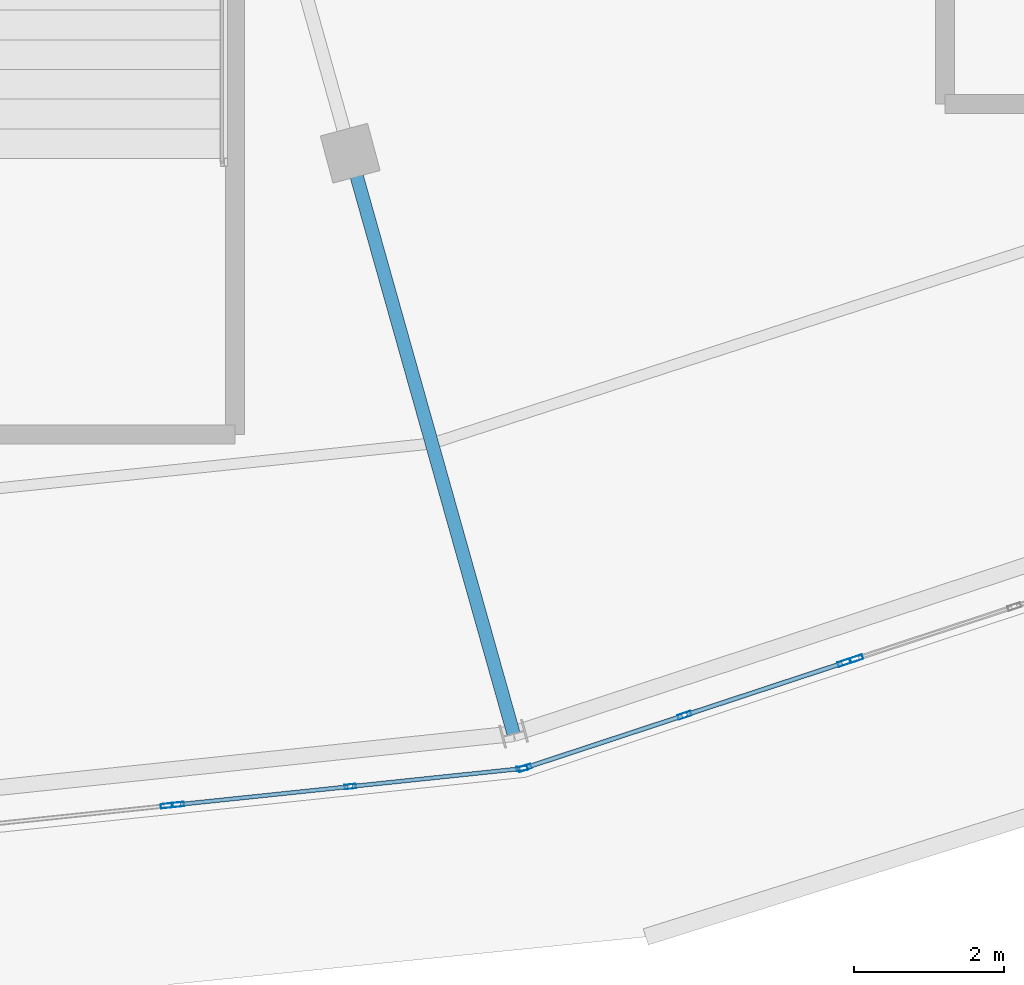
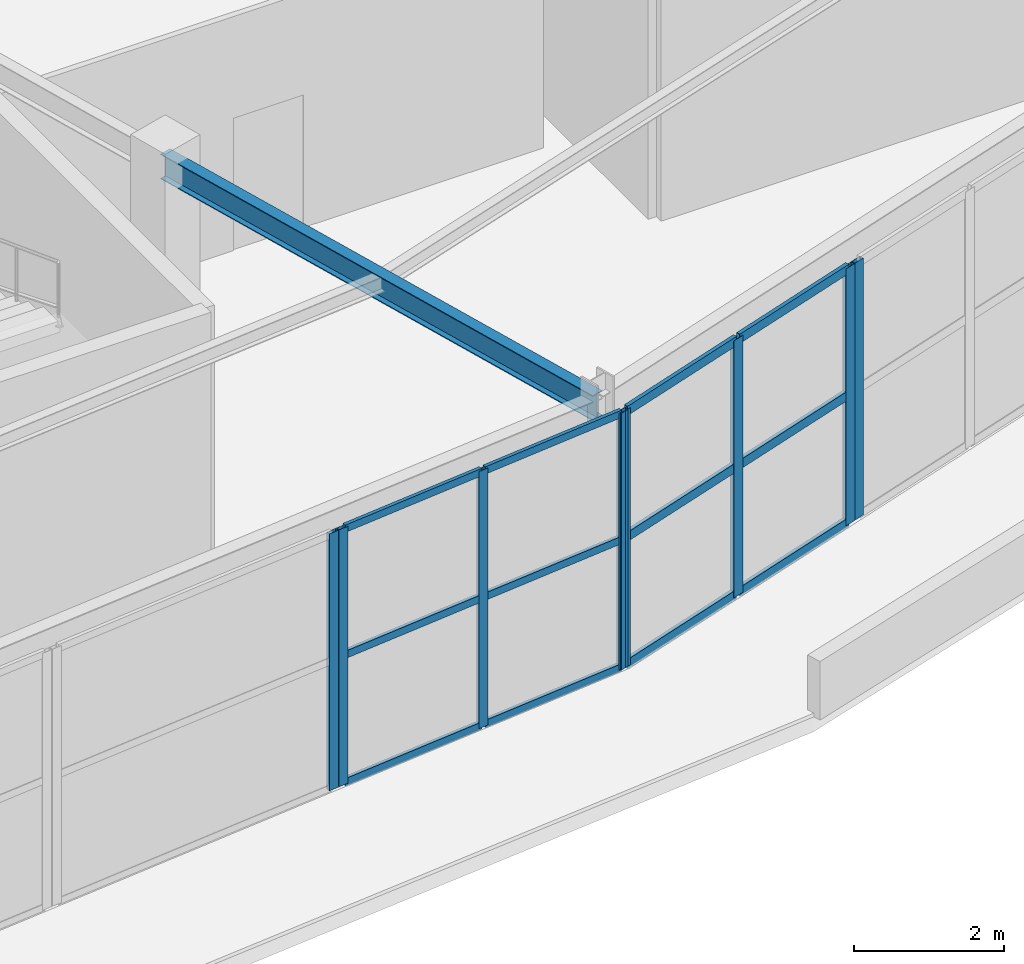
# One storey, part 41 of 126: 20 members, 1 beam, 4 elements without a shape of their own.
"""IFC4 building model written with IfcOpenShell, lengths in metres."""

import ifcopenshell
import ifcopenshell.guid

model = None  # the IFC model being written
_history = None  # IfcOwnerHistory: only IFC2X3 demands one
_inside = {}  # id of a spatial element -> (the spatial element, [elements in it])
_under = {}  # id of a project, library or spatial element -> (it, [spatial elements below it])
_declared = {}  # id of a project -> (the project, [libraries it declares])
_typed = {}  # id of a type object -> (the type object, [elements of that type])
_made_of = {}  # id of a material, layer set ... -> (it, [elements and type objects made of it])


def new_model(schema):
    """Start an empty IFC model of exactly this schema.

    Asked for "IFC4X3", IfcOpenShell would pick the latest addendum, in which some entities
    have other attributes; the version numbers below select the first issue.
    IFC2X3 requires an IfcOwnerHistory on every rooted entity: one is made here for all.
    """
    global model, _history
    if schema == "IFC4X3":
        model = ifcopenshell.file(schema_version=(4, 3, 0, 0))
    else:
        model = ifcopenshell.file(schema=schema)
    _inside.clear()
    _under.clear()
    _declared.clear()
    _typed.clear()
    _made_of.clear()
    _history = None
    if model.schema == "IFC2X3":
        org = make("IfcOrganization", Name="unknown")
        user = make(
            "IfcPersonAndOrganization",
            ThePerson=make("IfcPerson", FamilyName="unknown"),
            TheOrganization=org,
        )
        app = make(
            "IfcApplication",
            ApplicationDeveloper=org,
            Version="unknown",
            ApplicationFullName="unknown",
            ApplicationIdentifier="unknown",
        )
        _history = make(
            "IfcOwnerHistory",
            OwningUser=user,
            OwningApplication=app,
            ChangeAction="ADDED",
            CreationDate=0,
        )
    return model


def make(cls, **values):
    """One entity of the class cls with the attributes given. An attribute that is None is left unset."""
    return model.create_entity(
        cls, **{name: value for name, value in values.items() if value is not None}
    )


def rooted(cls, **values):
    """An entity with a GlobalId (a new one), such as an element, a storey or a relation."""
    return make(cls, GlobalId=ifcopenshell.guid.new(), OwnerHistory=_history, **values)


def si_unit(unit_type, name, prefix=None):
    """IfcSIUnit, for example si_unit("LENGTHUNIT", "METRE", prefix="MILLI")."""
    return make("IfcSIUnit", UnitType=unit_type, Prefix=prefix, Name=name)


def assignment(units):
    """IfcUnitAssignment: the units of a project."""
    return None if units is None else make("IfcUnitAssignment", Units=units)


def point(xyz):
    """IfcCartesianPoint."""
    return None if xyz is None else make("IfcCartesianPoint", Coordinates=xyz)


def direction(xyz):
    """IfcDirection."""
    return None if xyz is None else make("IfcDirection", DirectionRatios=xyz)


def frame(location, z_axis=None, x_axis=None):
    """IfcAxis2Placement3D, a coordinate frame: its origin and axes. An axis left out is left unset."""
    return make(
        "IfcAxis2Placement3D",
        Location=point(location),
        Axis=direction(z_axis),
        RefDirection=direction(x_axis),
    )


def frame_2d(location, x_axis=None):
    """IfcAxis2Placement2D, a coordinate frame in the plane: its origin and x axis."""
    return make(
        "IfcAxis2Placement2D", Location=point(location), RefDirection=direction(x_axis)
    )


def origin():
    """The frame at (0, 0, 0) with its axes left unset."""
    return frame((0.0, 0.0, 0.0))


def origin_2d():
    """The frame at (0, 0) in the plane with its x axis left unset."""
    return frame_2d((0.0, 0.0))


def place(relative_to, where):
    """IfcLocalPlacement: puts the frame where relative to a parent placement (None: the world)."""
    return make(
        "IfcLocalPlacement", PlacementRelTo=relative_to, RelativePlacement=where
    )


def context(
    kind, dimensions, precision=None, world=None, true_north=None, identifier=None
):
    """IfcGeometricRepresentationContext, for example the 3D "Model" context."""
    return make(
        "IfcGeometricRepresentationContext",
        ContextIdentifier=identifier,
        ContextType=kind,
        CoordinateSpaceDimension=dimensions,
        Precision=precision,
        WorldCoordinateSystem=world,
        TrueNorth=true_north,
    )


def subcontext(parent, identifier, kind, view, scale=None):
    """IfcGeometricRepresentationSubContext, for example "Body" below "Model"."""
    return make(
        "IfcGeometricRepresentationSubContext",
        ContextIdentifier=identifier,
        ContextType=kind,
        ParentContext=parent,
        TargetScale=scale,
        TargetView=view,
    )


def project(units=None, contexts=None):
    """IfcProject with its units and contexts."""
    return rooted(
        "IfcProject",
        Name="project",
        RepresentationContexts=contexts,
        UnitsInContext=assignment(units),
    )


def spatial(cls, under=None, at=None, **own):
    """A site, building, storey or space (cls), placed at a placement, below another one or the project."""
    s = rooted(cls, ObjectPlacement=at, **own)
    if under is not None:
        _under.setdefault(under.id(), (under, []))[1].append(s)
    return s


def profile(cls, at=None, kind="AREA", **sizes):
    """A parametric profile (cls). Its sizes go by their IFC names, for example OverallWidth=200.0."""
    return make(cls, ProfileType=kind, Position=at, **sizes)


def hollow_rectangle(**sizes):
    """IfcRectangleHollowProfileDef."""
    return profile("IfcRectangleHollowProfileDef", **sizes)


def i_section(**sizes):
    """IfcIShapeProfileDef."""
    return profile("IfcIShapeProfileDef", **sizes)


def extrude(swept, where, along, depth):
    """IfcExtrudedAreaSolid: the profile swept, set in the frame where, extruded along a direction by depth."""
    return make(
        "IfcExtrudedAreaSolid",
        SweptArea=swept,
        Position=where,
        ExtrudedDirection=direction(along),
        Depth=depth,
    )


def shape(context_of_items, identifier, shape_type, items):
    """IfcShapeRepresentation: the items that make up one representation, for example the "Body"."""
    return make(
        "IfcShapeRepresentation",
        ContextOfItems=context_of_items,
        RepresentationIdentifier=identifier,
        RepresentationType=shape_type,
        Items=items,
    )


def material(Name=None, Category=None):
    """IfcMaterial."""
    return make("IfcMaterial", Name=Name, Category=Category)


def layer(
    of_material, thickness, ventilated=None, Name=None, Category=None, Priority=None
):
    """IfcMaterialLayer: one layer of a wall or slab, of a material (None: an air gap)."""
    return make(
        "IfcMaterialLayer",
        Material=of_material,
        LayerThickness=thickness,
        IsVentilated=ventilated,
        Name=Name,
        Category=Category,
        Priority=Priority,
    )


def layer_set(layers, Name=None):
    """IfcMaterialLayerSet."""
    return make("IfcMaterialLayerSet", MaterialLayers=layers, LayerSetName=Name)


def material_profile(
    of_material, cross_section, Name=None, Category=None, Priority=None
):
    """IfcMaterialProfile: a cross section and its material."""
    return make(
        "IfcMaterialProfile",
        Name=Name,
        Material=of_material,
        Profile=cross_section,
        Priority=Priority,
        Category=Category,
    )


def profile_set(profiles, Name=None, composite=None):
    """IfcMaterialProfileSet."""
    return make(
        "IfcMaterialProfileSet",
        Name=Name,
        MaterialProfiles=profiles,
        CompositeProfile=composite,
    )


def made_of(thing, what):
    """Note that an element or type object is made of a material, layer set ...; save() writes the relation."""
    if what is not None:
        _made_of.setdefault(what.id(), (what, []))[1].append(thing)
    return thing


def type_object(cls, material=None, **own):
    """A type object (cls), such as IfcWallType, which elements share."""
    return made_of(rooted(cls, **own), material)


def element(
    cls,
    number,
    at=None,
    inside=None,
    cuts=None,
    type_object=None,
    material=None,
    context=None,
    identifier="Body",
    shape_type=None,
    held_by="IfcProductDefinitionShape",
    body=None,
    shapes=None,
    **own,
):
    """One element of the class cls, such as IfcWall. Its Tag is "e" and its number.

    at: its placement. inside: the storey or other place that contains it. cuts: it is an
    opening in that element (IfcRelVoidsElement). A single representation is given by context,
    identifier, shape_type and body (its items); several are given by shapes. held_by: the class
    of the entity that holds the representations. save() writes the other relations.
    """
    e = rooted(cls, Tag="e%d" % number, ObjectPlacement=at, **own)
    if body is not None:
        shapes = [shape(context, identifier, shape_type, body)]
    if shapes is not None:
        e.Representation = make(held_by, Representations=shapes)
    if inside is not None:
        _inside.setdefault(inside.id(), (inside, []))[1].append(e)
    if cuts is not None:
        rooted(
            "IfcRelVoidsElement", RelatingBuildingElement=cuts, RelatedOpeningElement=e
        )
    if type_object is not None:
        _typed.setdefault(type_object.id(), (type_object, []))[1].append(e)
    return made_of(e, material)


def aggregate(whole, parts):
    """IfcRelAggregates: a whole, such as a stair, and the parts it consists of."""
    return rooted("IfcRelAggregates", RelatingObject=whole, RelatedObjects=parts)


def save(model, path):
    """Write the relations noted so far, then the file.

    IfcRelAggregates (storeys below a building ...), IfcRelContainedInSpatialStructure (elements
    in a storey), IfcRelDefinesByType, IfcRelAssociatesMaterial and IfcRelDeclares: one each for
    every whole, place, type object, material and project.
    """
    for whole, parts in _under.values():
        aggregate(whole, parts)
    for where, things in _inside.values():
        rooted(
            "IfcRelContainedInSpatialStructure",
            RelatedElements=things,
            RelatingStructure=where,
        )
    for kind, things in _typed.values():
        rooted("IfcRelDefinesByType", RelatedObjects=things, RelatingType=kind)
    for what, things in _made_of.values():
        rooted("IfcRelAssociatesMaterial", RelatedObjects=things, RelatingMaterial=what)
    for by, libraries in _declared.values():
        rooted("IfcRelDeclares", RelatingContext=by, RelatedDefinitions=libraries)
    model.write(path)


model = new_model("IFC4")

# Units and contexts
model_context = context("Model", 3, precision=1e-05, world=origin(), true_north=direction((0.0, 1.0)))
body_context = subcontext(model_context, "Body", "Model", "MODEL_VIEW")
ifc_project = project(units=[si_unit("LENGTHUNIT", "METRE"), si_unit("AREAUNIT", "SQUARE_METRE"), si_unit("VOLUMEUNIT", "CUBIC_METRE"), si_unit("PLANEANGLEUNIT", "RADIAN"), si_unit("MASSUNIT", "GRAM", prefix="KILO")], contexts=[model_context])

# Site, building, storey
site_placement = place(None, origin())
site = spatial("IfcSite", under=ifc_project, at=site_placement, CompositionType="ELEMENT")
building_placement = place(site_placement, origin())
building = spatial("IfcBuilding", under=site, at=building_placement, Name="Kalgoora Escarpment Arena", CompositionType="ELEMENT")
storey_placement = place(building_placement, frame((0.0, 0.0, 18.89990234375)))
storey = spatial("IfcBuildingStorey", under=building, at=storey_placement, Name="L04", CompositionType="ELEMENT", Elevation=18.89990234375)

# Beam
ifc_material_1 = material(Name="Structural steel AS/NZS 3679 (300 MPa)", Category="steel")
ifc_material_profile_1 = material_profile(ifc_material_1, i_section(OverallWidth=0.177978515625, OverallDepth=0.406005859375, WebThickness=0.0078125, FlangeThickness=0.0126953125, at=origin_2d()))
ifc_profile_set_1 = profile_set([ifc_material_profile_1], Name="Structural steel AS/NZS 3679 (300 MPa)")
beam_type = type_object("IfcBeamType", Name="BM-GIRDER-410UB59.7", PredefinedType="USERDEFINED", material=ifc_profile_set_1)
beam_placement = place(storey_placement, frame((108.80908203125, 16.669677734375, 4.027099609375), z_axis=(0.27082660355, -0.962628147734, 0.0), x_axis=(0.962628147734, 0.27082660355, 0.0)))
element("IfcBeam", 1, at=beam_placement, inside=storey, type_object=beam_type, Name="L04 Radial concourse girder 410UB59.7", ObjectType="GIRDER", PredefinedType="USERDEFINED", context=body_context, shape_type="SweptSolid", body=[
    extrude(i_section(OverallWidth=0.177978515625, OverallDepth=0.406005859375, WebThickness=0.0078125, FlangeThickness=0.0126953125, at=origin_2d()), origin(), (0.0, 0.0, 1.0), 8.027587890625),
])

# Curtain wall, members
ifc_material_2 = material(Name=" Champagne anodised aluminium & double-glazed low-E", Category="aluminium")
ifc_layer_1 = layer(ifc_material_2, 0.154052734375)
ifc_layer_set_1 = layer_set([ifc_layer_1], Name="CW-UNIT-11")
curtain_wall_type_1 = type_object("IfcCurtainWallType", Name="CW-UNIT-11", PredefinedType="NOTDEFINED", material=ifc_layer_set_1)
curtain_wall_1_placement = place(storey_placement, origin())
curtain_wall_1 = element("IfcCurtainWall", 2, at=curtain_wall_1_placement, inside=storey, type_object=curtain_wall_type_1, Name="L04 unitised facade curtain wall 110", PredefinedType="NOTDEFINED")
ifc_material_3 = material(Name="Anodised aluminium 6063-T6", Category="aluminium")
ifc_material_profile_2 = material_profile(ifc_material_3, hollow_rectangle(XDim=0.06005859375, YDim=0.14990234375, WallThickness=0.00341796875, at=origin_2d()))
ifc_profile_set_2 = profile_set([ifc_material_profile_2], Name="Anodised aluminium 6063-T6")
member_type_1 = type_object("IfcMemberType", Name="MEM-CW-MULL-150", PredefinedType="MULLION", material=ifc_profile_set_2)
member_1_placement = place(storey_placement, frame((111.09619140625, 8.478759765625, 0.02001953125), z_axis=(0.0, 0.0, 1.0), x_axis=(0.10415754759, -0.994560810247, 0.0)))
member_1 = element("IfcMember", 3, at=member_1_placement, type_object=member_type_1, Name="CW-11 mullion 1", PredefinedType="MULLION", context=body_context, shape_type="SweptSolid", body=[
    extrude(hollow_rectangle(XDim=0.06005859375, YDim=0.14990234375, WallThickness=0.00341796875, at=origin_2d()), origin(), (0.0, 0.0, 1.0), 4.170166015625),
])
member_2_placement = place(storey_placement, frame((108.80859375, 8.2392578125, 0.02001953125), z_axis=(0.0, 0.0, 1.0), x_axis=(0.10415754759, -0.994560810247, 0.0)))
member_2 = element("IfcMember", 4, at=member_2_placement, type_object=member_type_1, Name="CW-11 mullion 2", PredefinedType="MULLION", context=body_context, shape_type="SweptSolid", body=[
    extrude(hollow_rectangle(XDim=0.06005859375, YDim=0.14990234375, WallThickness=0.00341796875, at=origin_2d()), origin(), (0.0, 0.0, 1.0), 4.170166015625),
])
member_3_placement = place(storey_placement, frame((106.52099609375, 7.999755859375, 0.02001953125), z_axis=(0.0, 0.0, 1.0), x_axis=(0.10415754759, -0.994560810247, 0.0)))
member_3 = element("IfcMember", 5, at=member_3_placement, type_object=member_type_1, Name="CW-11 mullion 3", PredefinedType="MULLION", context=body_context, shape_type="SweptSolid", body=[
    extrude(hollow_rectangle(XDim=0.06005859375, YDim=0.14990234375, WallThickness=0.00341796875, at=origin_2d()), origin(), (0.0, 0.0, 1.0), 4.170166015625),
])

# Curtain wall, member
ifc_material_4 = material(Name=" Champagne anodised aluminium & double-glazed low-E", Category="aluminium")
ifc_layer_2 = layer(ifc_material_4, 0.157958984375)
ifc_layer_set_2 = layer_set([ifc_layer_2], Name="CW-UNIT-12")
curtain_wall_type_2 = type_object("IfcCurtainWallType", Name="CW-UNIT-12", PredefinedType="NOTDEFINED", material=ifc_layer_set_2)
curtain_wall_2_placement = place(storey_placement, origin())
curtain_wall_2 = element("IfcCurtainWall", 6, at=curtain_wall_2_placement, inside=storey, type_object=curtain_wall_type_2, Name="L04 unitised facade curtain wall 111", PredefinedType="NOTDEFINED")
member_4_placement = place(storey_placement, frame((106.36181640625, 7.983154296875, 0.02001953125), z_axis=(0.0, 0.0, 1.0), x_axis=(0.104182310405, -0.994558216596, 0.0)))
member_4 = element("IfcMember", 7, at=member_4_placement, type_object=member_type_1, Name="CW-12 mullion 1", PredefinedType="MULLION", context=body_context, shape_type="SweptSolid", body=[
    extrude(hollow_rectangle(XDim=0.06005859375, YDim=0.14990234375, WallThickness=0.00341796875, at=origin_2d()), origin(), (0.0, 0.0, 1.0), 4.170166015625),
])
aggregate(curtain_wall_2, [member_4])

ifc_material_5 = material(Name=" Champagne anodised aluminium & double-glazed low-E", Category="aluminium")
ifc_layer_3 = layer(ifc_material_5, 0.166015625)
ifc_layer_set_3 = layer_set([ifc_layer_3], Name="CW-UNIT-09")
curtain_wall_type_3 = type_object("IfcCurtainWallType", Name="CW-UNIT-09", PredefinedType="NOTDEFINED", material=ifc_layer_set_3)
curtain_wall_3_placement = place(storey_placement, origin())
curtain_wall_3 = element("IfcCurtainWall", 8, at=curtain_wall_3_placement, inside=storey, type_object=curtain_wall_type_3, Name="L04 unitised facade curtain wall 108", PredefinedType="NOTDEFINED")
ifc_material_6 = material(Name="Anodised aluminium 6063-T6", Category="aluminium")
ifc_material_profile_3 = material_profile(ifc_material_6, hollow_rectangle(XDim=0.06494140625, YDim=0.179931640625, WallThickness=0.00390625, at=origin_2d()))
ifc_profile_set_3 = profile_set([ifc_material_profile_3], Name="Anodised aluminium 6063-T6")
member_type_2 = type_object("IfcMemberType", Name="MEM-CW-MULL-180", PredefinedType="MULLION", material=ifc_profile_set_3)
member_5_placement = place(storey_placement, frame((115.544677734375, 9.941162109375, 0.02001953125), z_axis=(0.0, 0.0, 1.0), x_axis=(0.312969878028, -0.949763052265, 0.0)))
member_5 = element("IfcMember", 9, at=member_5_placement, type_object=member_type_2, Name="CW-09 mullion 3", PredefinedType="MULLION", context=body_context, shape_type="SweptSolid", body=[
    extrude(hollow_rectangle(XDim=0.06494140625, YDim=0.179931640625, WallThickness=0.00390625, at=origin_2d()), origin(), (0.0, 0.0, 1.0), 4.170166015625),
])
aggregate(curtain_wall_3, [member_5])

# Curtain wall, members
ifc_material_7 = material(Name=" Champagne anodised aluminium & double-glazed low-E", Category="aluminium")
ifc_layer_4 = layer(ifc_material_7, 0.14990234375)
ifc_layer_set_4 = layer_set([ifc_layer_4], Name="CW-UNIT-10")
curtain_wall_type_4 = type_object("IfcCurtainWallType", Name="CW-UNIT-10", PredefinedType="NOTDEFINED", material=ifc_layer_set_4)
curtain_wall_4_placement = place(storey_placement, origin())
curtain_wall_4 = element("IfcCurtainWall", 10, at=curtain_wall_4_placement, inside=storey, type_object=curtain_wall_type_4, Name="L04 unitised facade curtain wall 109", PredefinedType="NOTDEFINED")
member_6_placement = place(storey_placement, frame((115.387939453125, 9.889404296875, 0.02001953125), z_axis=(0.0, 0.0, 1.0), x_axis=(0.312979322933, -0.949759939888, 0.0)))
member_6 = element("IfcMember", 11, at=member_6_placement, type_object=member_type_2, Name="CW-10 mullion 1", PredefinedType="MULLION", context=body_context, shape_type="SweptSolid", body=[
    extrude(hollow_rectangle(XDim=0.06494140625, YDim=0.179931640625, WallThickness=0.00390625, at=origin_2d()), origin(), (0.0, 0.0, 1.0), 4.170166015625),
])
member_7_placement = place(storey_placement, frame((113.259765625, 9.188232421875, 0.02001953125), z_axis=(0.0, 0.0, 1.0), x_axis=(0.312979322933, -0.949759939888, 0.0)))
member_7 = element("IfcMember", 12, at=member_7_placement, type_object=member_type_2, Name="CW-10 mullion 2", PredefinedType="MULLION", context=body_context, shape_type="SweptSolid", body=[
    extrude(hollow_rectangle(XDim=0.06494140625, YDim=0.179931640625, WallThickness=0.00390625, at=origin_2d()), origin(), (0.0, 0.0, 1.0), 4.170166015625),
])
member_8_placement = place(storey_placement, frame((111.1318359375, 8.48681640625, 0.02001953125), z_axis=(0.0, 0.0, 1.0), x_axis=(0.312979322933, -0.949759939888, 0.0)))
member_8 = element("IfcMember", 13, at=member_8_placement, type_object=member_type_2, Name="CW-10 mullion 3", PredefinedType="MULLION", context=body_context, shape_type="SweptSolid", body=[
    extrude(hollow_rectangle(XDim=0.06494140625, YDim=0.179931640625, WallThickness=0.00390625, at=origin_2d()), origin(), (0.0, 0.0, 1.0), 4.170166015625),
])

# Member
ifc_material_8 = material(Name="Anodised aluminium 6063-T6", Category="aluminium")
ifc_material_profile_4 = material_profile(ifc_material_8, hollow_rectangle(XDim=0.054931640625, YDim=0.1201171875, WallThickness=0.003173828125, at=origin_2d()))
ifc_profile_set_4 = profile_set([ifc_material_profile_4], Name="Anodised aluminium 6063-T6")
member_type_3 = type_object("IfcMemberType", Name="MEM-CW-TRAN-120", PredefinedType="USERDEFINED", material=ifc_profile_set_4)
member_9_placement = place(storey_placement, frame((111.06640625, 8.475830078125, 0.047607421875), z_axis=(-0.99455787722, -0.104185550145, 0.0), x_axis=(0.104185550145, -0.99455787722, 0.0)))
member_9 = element("IfcMember", 14, at=member_9_placement, type_object=member_type_3, Name="CW-11 transom 1.1", ObjectType="TRANSOM", PredefinedType="USERDEFINED", context=body_context, shape_type="SweptSolid", body=[
    extrude(hollow_rectangle(XDim=0.054931640625, YDim=0.1201171875, WallThickness=0.003173828125, at=origin_2d()), origin(), (0.0, 0.0, 1.0), 2.240234375),
])

member_10_placement = place(storey_placement, frame((111.06640625, 8.475830078125, 2.114990234375), z_axis=(-0.99455787722, -0.104185550145, 0.0), x_axis=(0.104185550145, -0.99455787722, 0.0)))
member_10 = element("IfcMember", 15, at=member_10_placement, type_object=member_type_3, Name="CW-11 transom 1.2", ObjectType="TRANSOM", PredefinedType="USERDEFINED", context=body_context, shape_type="SweptSolid", body=[
    extrude(hollow_rectangle(XDim=0.054931640625, YDim=0.1201171875, WallThickness=0.003173828125, at=origin_2d()), origin(), (0.0, 0.0, 1.0), 2.240234375),
])

member_11_placement = place(storey_placement, frame((111.06640625, 8.475830078125, 4.16259765625), z_axis=(-0.99455787722, -0.104185550145, 0.0), x_axis=(0.104185550145, -0.99455787722, 0.0)))
member_11 = element("IfcMember", 16, at=member_11_placement, type_object=member_type_3, Name="CW-11 transom 1.3", ObjectType="TRANSOM", PredefinedType="USERDEFINED", context=body_context, shape_type="SweptSolid", body=[
    extrude(hollow_rectangle(XDim=0.054931640625, YDim=0.1201171875, WallThickness=0.003173828125, at=origin_2d()), origin(), (0.0, 0.0, 1.0), 2.240234375),
])

member_12_placement = place(storey_placement, frame((108.77880859375, 8.236083984375, 0.047607421875), z_axis=(-0.99456916393, -0.104077750554, 0.0), x_axis=(0.104077750554, -0.99456916393, 0.0)))
member_12 = element("IfcMember", 17, at=member_12_placement, type_object=member_type_3, Name="CW-11 transom 2.1", ObjectType="TRANSOM", PredefinedType="USERDEFINED", context=body_context, shape_type="SweptSolid", body=[
    extrude(hollow_rectangle(XDim=0.054931640625, YDim=0.1201171875, WallThickness=0.003173828125, at=origin_2d()), origin(), (0.0, 0.0, 1.0), 2.240234375),
])

member_13_placement = place(storey_placement, frame((108.77880859375, 8.236083984375, 2.114990234375), z_axis=(-0.99456916393, -0.104077750554, 0.0), x_axis=(0.104077750554, -0.99456916393, 0.0)))
member_13 = element("IfcMember", 18, at=member_13_placement, type_object=member_type_3, Name="CW-11 transom 2.2", ObjectType="TRANSOM", PredefinedType="USERDEFINED", context=body_context, shape_type="SweptSolid", body=[
    extrude(hollow_rectangle(XDim=0.054931640625, YDim=0.1201171875, WallThickness=0.003173828125, at=origin_2d()), origin(), (0.0, 0.0, 1.0), 2.240234375),
])

member_14_placement = place(storey_placement, frame((108.77880859375, 8.236083984375, 4.16259765625), z_axis=(-0.99456916393, -0.104077750554, 0.0), x_axis=(0.104077750554, -0.99456916393, 0.0)))
member_14 = element("IfcMember", 19, at=member_14_placement, type_object=member_type_3, Name="CW-11 transom 2.3", ObjectType="TRANSOM", PredefinedType="USERDEFINED", context=body_context, shape_type="SweptSolid", body=[
    extrude(hollow_rectangle(XDim=0.054931640625, YDim=0.1201171875, WallThickness=0.003173828125, at=origin_2d()), origin(), (0.0, 0.0, 1.0), 2.240234375),
])

aggregate(curtain_wall_1, [member_1, member_2, member_3, member_9, member_10, member_11, member_12, member_13, member_14])

ifc_material_9 = material(Name="Anodised aluminium 6063-T6", Category="aluminium")
ifc_material_profile_5 = material_profile(ifc_material_9, hollow_rectangle(XDim=0.06005859375, YDim=0.14990234375, WallThickness=0.00341796875, at=origin_2d()))
ifc_profile_set_5 = profile_set([ifc_material_profile_5], Name="Anodised aluminium 6063-T6")
member_type_4 = type_object("IfcMemberType", Name="MEM-CW-TRAN-150", PredefinedType="USERDEFINED", material=ifc_profile_set_5)
member_15_placement = place(storey_placement, frame((115.357177734375, 9.879150390625, 0.050048828125), z_axis=(-0.949766139008, -0.312960510597, 0.0), x_axis=(0.312960510597, -0.949766139008, 0.0)))
member_15 = element("IfcMember", 20, at=member_15_placement, type_object=member_type_4, Name="CW-10 transom 1.1", ObjectType="TRANSOM", PredefinedType="USERDEFINED", context=body_context, shape_type="SweptSolid", body=[
    extrude(hollow_rectangle(XDim=0.06005859375, YDim=0.14990234375, WallThickness=0.00341796875, at=origin_2d()), origin(), (0.0, 0.0, 1.0), 2.17578125),
])

member_16_placement = place(storey_placement, frame((115.357177734375, 9.879150390625, 2.114990234375), z_axis=(-0.949766139008, -0.312960510597, 0.0), x_axis=(0.312960510597, -0.949766139008, 0.0)))
member_16 = element("IfcMember", 21, at=member_16_placement, type_object=member_type_4, Name="CW-10 transom 1.2", ObjectType="TRANSOM", PredefinedType="USERDEFINED", context=body_context, shape_type="SweptSolid", body=[
    extrude(hollow_rectangle(XDim=0.06005859375, YDim=0.14990234375, WallThickness=0.00341796875, at=origin_2d()), origin(), (0.0, 0.0, 1.0), 2.17578125),
])

member_17_placement = place(storey_placement, frame((115.357177734375, 9.879150390625, 4.16015625), z_axis=(-0.949766139008, -0.312960510597, 0.0), x_axis=(0.312960510597, -0.949766139008, 0.0)))
member_17 = element("IfcMember", 22, at=member_17_placement, type_object=member_type_4, Name="CW-10 transom 1.3", ObjectType="TRANSOM", PredefinedType="USERDEFINED", context=body_context, shape_type="SweptSolid", body=[
    extrude(hollow_rectangle(XDim=0.06005859375, YDim=0.14990234375, WallThickness=0.00341796875, at=origin_2d()), origin(), (0.0, 0.0, 1.0), 2.17578125),
])

member_18_placement = place(storey_placement, frame((113.22900390625, 9.177978515625, 0.050048828125), z_axis=(-0.949766139008, -0.312960510597, 0.0), x_axis=(0.312960510597, -0.949766139008, 0.0)))
member_18 = element("IfcMember", 23, at=member_18_placement, type_object=member_type_4, Name="CW-10 transom 2.1", ObjectType="TRANSOM", PredefinedType="USERDEFINED", context=body_context, shape_type="SweptSolid", body=[
    extrude(hollow_rectangle(XDim=0.06005859375, YDim=0.14990234375, WallThickness=0.00341796875, at=origin_2d()), origin(), (0.0, 0.0, 1.0), 2.17578125),
])

member_19_placement = place(storey_placement, frame((113.22900390625, 9.177978515625, 2.114990234375), z_axis=(-0.949766139008, -0.312960510597, 0.0), x_axis=(0.312960510597, -0.949766139008, 0.0)))
member_19 = element("IfcMember", 24, at=member_19_placement, type_object=member_type_4, Name="CW-10 transom 2.2", ObjectType="TRANSOM", PredefinedType="USERDEFINED", context=body_context, shape_type="SweptSolid", body=[
    extrude(hollow_rectangle(XDim=0.06005859375, YDim=0.14990234375, WallThickness=0.00341796875, at=origin_2d()), origin(), (0.0, 0.0, 1.0), 2.17578125),
])

member_20_placement = place(storey_placement, frame((113.22900390625, 9.177978515625, 4.16015625), z_axis=(-0.949766139008, -0.312960510597, 0.0), x_axis=(0.312960510597, -0.949766139008, 0.0)))
member_20 = element("IfcMember", 25, at=member_20_placement, type_object=member_type_4, Name="CW-10 transom 2.3", ObjectType="TRANSOM", PredefinedType="USERDEFINED", context=body_context, shape_type="SweptSolid", body=[
    extrude(hollow_rectangle(XDim=0.06005859375, YDim=0.14990234375, WallThickness=0.00341796875, at=origin_2d()), origin(), (0.0, 0.0, 1.0), 2.17578125),
])

aggregate(curtain_wall_4, [member_6, member_7, member_8, member_15, member_16, member_17, member_18, member_19, member_20])

save(model, "model.ifc")
